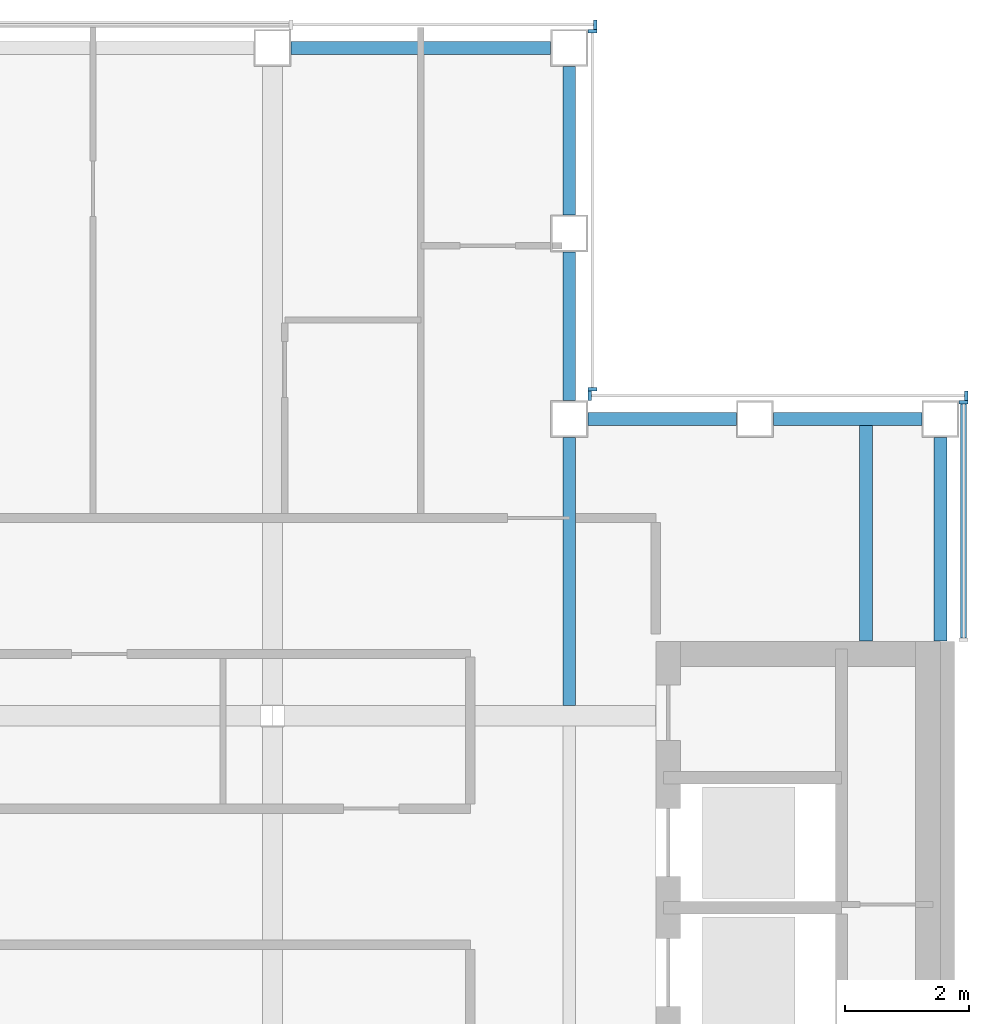
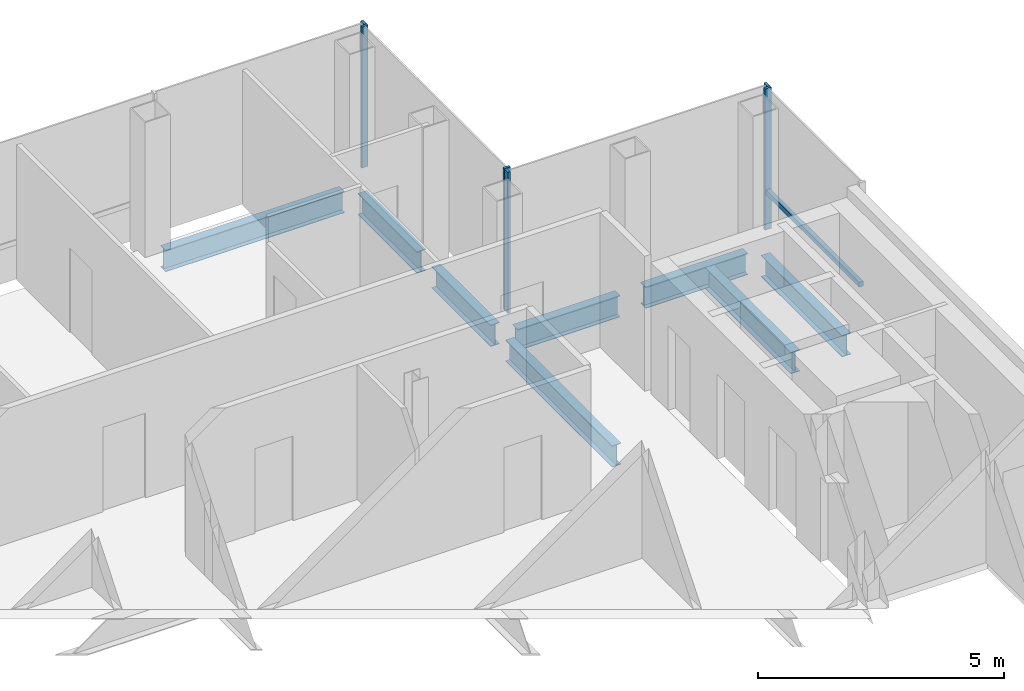
# One storey, part 8 of 15: 8 beams, 7 members, 4 elements without a shape of their own.
"""IFC4 building model written with IfcOpenShell, lengths in metres."""

import ifcopenshell
import ifcopenshell.guid

model = None  # the IFC model being written
_history = None  # IfcOwnerHistory: only IFC2X3 demands one
_inside = {}  # id of a spatial element -> (the spatial element, [elements in it])
_under = {}  # id of a project, library or spatial element -> (it, [spatial elements below it])
_declared = {}  # id of a project -> (the project, [libraries it declares])
_typed = {}  # id of a type object -> (the type object, [elements of that type])
_made_of = {}  # id of a material, layer set ... -> (it, [elements and type objects made of it])


def new_model(schema):
    """Start an empty IFC model of exactly this schema.

    Asked for "IFC4X3", IfcOpenShell would pick the latest addendum, in which some entities
    have other attributes; the version numbers below select the first issue.
    IFC2X3 requires an IfcOwnerHistory on every rooted entity: one is made here for all.
    """
    global model, _history
    if schema == "IFC4X3":
        model = ifcopenshell.file(schema_version=(4, 3, 0, 0))
    else:
        model = ifcopenshell.file(schema=schema)
    _inside.clear()
    _under.clear()
    _declared.clear()
    _typed.clear()
    _made_of.clear()
    _history = None
    if model.schema == "IFC2X3":
        org = make("IfcOrganization", Name="unknown")
        user = make(
            "IfcPersonAndOrganization",
            ThePerson=make("IfcPerson", FamilyName="unknown"),
            TheOrganization=org,
        )
        app = make(
            "IfcApplication",
            ApplicationDeveloper=org,
            Version="unknown",
            ApplicationFullName="unknown",
            ApplicationIdentifier="unknown",
        )
        _history = make(
            "IfcOwnerHistory",
            OwningUser=user,
            OwningApplication=app,
            ChangeAction="ADDED",
            CreationDate=0,
        )
    return model


def make(cls, **values):
    """One entity of the class cls with the attributes given. An attribute that is None is left unset."""
    return model.create_entity(
        cls, **{name: value for name, value in values.items() if value is not None}
    )


def rooted(cls, **values):
    """An entity with a GlobalId (a new one), such as an element, a storey or a relation."""
    return make(cls, GlobalId=ifcopenshell.guid.new(), OwnerHistory=_history, **values)


def si_unit(unit_type, name, prefix=None):
    """IfcSIUnit, for example si_unit("LENGTHUNIT", "METRE", prefix="MILLI")."""
    return make("IfcSIUnit", UnitType=unit_type, Prefix=prefix, Name=name)


def assignment(units):
    """IfcUnitAssignment: the units of a project."""
    return None if units is None else make("IfcUnitAssignment", Units=units)


def point(xyz):
    """IfcCartesianPoint."""
    return None if xyz is None else make("IfcCartesianPoint", Coordinates=xyz)


def direction(xyz):
    """IfcDirection."""
    return None if xyz is None else make("IfcDirection", DirectionRatios=xyz)


def frame(location, z_axis=None, x_axis=None):
    """IfcAxis2Placement3D, a coordinate frame: its origin and axes. An axis left out is left unset."""
    return make(
        "IfcAxis2Placement3D",
        Location=point(location),
        Axis=direction(z_axis),
        RefDirection=direction(x_axis),
    )


def frame_2d(location, x_axis=None):
    """IfcAxis2Placement2D, a coordinate frame in the plane: its origin and x axis."""
    return make(
        "IfcAxis2Placement2D", Location=point(location), RefDirection=direction(x_axis)
    )


def origin():
    """The frame at (0, 0, 0) with its axes left unset."""
    return frame((0.0, 0.0, 0.0))


def origin_2d():
    """The frame at (0, 0) in the plane with its x axis left unset."""
    return frame_2d((0.0, 0.0))


def place(relative_to, where):
    """IfcLocalPlacement: puts the frame where relative to a parent placement (None: the world)."""
    return make(
        "IfcLocalPlacement", PlacementRelTo=relative_to, RelativePlacement=where
    )


def context(
    kind, dimensions, precision=None, world=None, true_north=None, identifier=None
):
    """IfcGeometricRepresentationContext, for example the 3D "Model" context."""
    return make(
        "IfcGeometricRepresentationContext",
        ContextIdentifier=identifier,
        ContextType=kind,
        CoordinateSpaceDimension=dimensions,
        Precision=precision,
        WorldCoordinateSystem=world,
        TrueNorth=true_north,
    )


def subcontext(parent, identifier, kind, view, scale=None):
    """IfcGeometricRepresentationSubContext, for example "Body" below "Model"."""
    return make(
        "IfcGeometricRepresentationSubContext",
        ContextIdentifier=identifier,
        ContextType=kind,
        ParentContext=parent,
        TargetScale=scale,
        TargetView=view,
    )


def project(units=None, contexts=None):
    """IfcProject with its units and contexts."""
    return rooted(
        "IfcProject",
        Name="project",
        RepresentationContexts=contexts,
        UnitsInContext=assignment(units),
    )


def spatial(cls, under=None, at=None, **own):
    """A site, building, storey or space (cls), placed at a placement, below another one or the project."""
    s = rooted(cls, ObjectPlacement=at, **own)
    if under is not None:
        _under.setdefault(under.id(), (under, []))[1].append(s)
    return s


def profile(cls, at=None, kind="AREA", **sizes):
    """A parametric profile (cls). Its sizes go by their IFC names, for example OverallWidth=200.0."""
    return make(cls, ProfileType=kind, Position=at, **sizes)


def rectangle(**sizes):
    """IfcRectangleProfileDef."""
    return profile("IfcRectangleProfileDef", **sizes)


def i_section(**sizes):
    """IfcIShapeProfileDef."""
    return profile("IfcIShapeProfileDef", **sizes)


def extrude(swept, where, along, depth):
    """IfcExtrudedAreaSolid: the profile swept, set in the frame where, extruded along a direction by depth."""
    return make(
        "IfcExtrudedAreaSolid",
        SweptArea=swept,
        Position=where,
        ExtrudedDirection=direction(along),
        Depth=depth,
    )


def shape(context_of_items, identifier, shape_type, items):
    """IfcShapeRepresentation: the items that make up one representation, for example the "Body"."""
    return make(
        "IfcShapeRepresentation",
        ContextOfItems=context_of_items,
        RepresentationIdentifier=identifier,
        RepresentationType=shape_type,
        Items=items,
    )


def material(Name=None, Category=None):
    """IfcMaterial."""
    return make("IfcMaterial", Name=Name, Category=Category)


def material_profile(
    of_material, cross_section, Name=None, Category=None, Priority=None
):
    """IfcMaterialProfile: a cross section and its material."""
    return make(
        "IfcMaterialProfile",
        Name=Name,
        Material=of_material,
        Profile=cross_section,
        Priority=Priority,
        Category=Category,
    )


def profile_set(profiles, Name=None, composite=None):
    """IfcMaterialProfileSet."""
    return make(
        "IfcMaterialProfileSet",
        Name=Name,
        MaterialProfiles=profiles,
        CompositeProfile=composite,
    )


def made_of(thing, what):
    """Note that an element or type object is made of a material, layer set ...; save() writes the relation."""
    if what is not None:
        _made_of.setdefault(what.id(), (what, []))[1].append(thing)
    return thing


def type_object(cls, material=None, **own):
    """A type object (cls), such as IfcWallType, which elements share."""
    return made_of(rooted(cls, **own), material)


def element(
    cls,
    number,
    at=None,
    inside=None,
    cuts=None,
    type_object=None,
    material=None,
    context=None,
    identifier="Body",
    shape_type=None,
    held_by="IfcProductDefinitionShape",
    body=None,
    shapes=None,
    **own,
):
    """One element of the class cls, such as IfcWall. Its Tag is "e" and its number.

    at: its placement. inside: the storey or other place that contains it. cuts: it is an
    opening in that element (IfcRelVoidsElement). A single representation is given by context,
    identifier, shape_type and body (its items); several are given by shapes. held_by: the class
    of the entity that holds the representations. save() writes the other relations.
    """
    e = rooted(cls, Tag="e%d" % number, ObjectPlacement=at, **own)
    if body is not None:
        shapes = [shape(context, identifier, shape_type, body)]
    if shapes is not None:
        e.Representation = make(held_by, Representations=shapes)
    if inside is not None:
        _inside.setdefault(inside.id(), (inside, []))[1].append(e)
    if cuts is not None:
        rooted(
            "IfcRelVoidsElement", RelatingBuildingElement=cuts, RelatedOpeningElement=e
        )
    if type_object is not None:
        _typed.setdefault(type_object.id(), (type_object, []))[1].append(e)
    return made_of(e, material)


def aggregate(whole, parts):
    """IfcRelAggregates: a whole, such as a stair, and the parts it consists of."""
    return rooted("IfcRelAggregates", RelatingObject=whole, RelatedObjects=parts)


def save(model, path):
    """Write the relations noted so far, then the file.

    IfcRelAggregates (storeys below a building ...), IfcRelContainedInSpatialStructure (elements
    in a storey), IfcRelDefinesByType, IfcRelAssociatesMaterial and IfcRelDeclares: one each for
    every whole, place, type object, material and project.
    """
    for whole, parts in _under.values():
        aggregate(whole, parts)
    for where, things in _inside.values():
        rooted(
            "IfcRelContainedInSpatialStructure",
            RelatedElements=things,
            RelatingStructure=where,
        )
    for kind, things in _typed.values():
        rooted("IfcRelDefinesByType", RelatedObjects=things, RelatingType=kind)
    for what, things in _made_of.values():
        rooted("IfcRelAssociatesMaterial", RelatedObjects=things, RelatingMaterial=what)
    for by, libraries in _declared.values():
        rooted("IfcRelDeclares", RelatingContext=by, RelatedDefinitions=libraries)
    model.write(path)


model = new_model("IFC4")

# Units and contexts
model_context = context("Model", 3, precision=1e-05, world=origin(), true_north=direction((0.0, 1.0)))
body_context = subcontext(model_context, "Body", "Model", "MODEL_VIEW")
ifc_project = project(units=[si_unit("LENGTHUNIT", "METRE"), si_unit("AREAUNIT", "SQUARE_METRE"), si_unit("VOLUMEUNIT", "CUBIC_METRE"), si_unit("PLANEANGLEUNIT", "RADIAN"), si_unit("MASSUNIT", "GRAM", prefix="KILO")], contexts=[model_context])

# Site, building, storey
site_placement = place(None, origin())
site = spatial("IfcSite", under=ifc_project, at=site_placement, CompositionType="ELEMENT")
building_placement = place(site_placement, origin())
building = spatial("IfcBuilding", under=site, at=building_placement, Name="Cobrizo Arcos Hotel Tower", CompositionType="ELEMENT")
storey_placement = place(building_placement, frame((0.0, 0.0, 251.5)))
storey = spatial("IfcBuildingStorey", under=building, at=storey_placement, Name="L66", CompositionType="ELEMENT", Elevation=251.5)

# Curtain wall, member
ifc_material_1 = material(Name="Aluminium 6063-T6 anodised bronze", Category="aluminium")
curtain_wall_type = type_object("IfcCurtainWallType", Name="CW-A guest facade", PredefinedType="NOTDEFINED", material=ifc_material_1)
curtain_wall_1_placement = place(storey_placement, origin())
curtain_wall_1 = element("IfcCurtainWall", 1, at=curtain_wall_1_placement, inside=storey, type_object=curtain_wall_type, Name="CW-A L66 E face", PredefinedType="NOTDEFINED")
ifc_material_profile_1 = material_profile(ifc_material_1, rectangle(XDim=0.14990234375, YDim=0.06005859375, at=origin_2d()), Name="CW-A mullion 150x60")
ifc_profile_set_1 = profile_set([ifc_material_profile_1], Name="Aluminium 6063-T6 anodised bronze")
member_type_1 = type_object("IfcMemberType", Name="CW-A mullion 150x60", PredefinedType="MULLION", material=ifc_profile_set_1)
member_1_placement = place(storey_placement, frame((20.77490234375, 14.669921875, 0.0), z_axis=(0.0, 0.0, 1.0), x_axis=(1.0, 0.0, 0.0)))
member_1 = element("IfcMember", 2, at=member_1_placement, type_object=member_type_1, Name="CW-A mullion 2", PredefinedType="MULLION", context=body_context, shape_type="SweptSolid", body=[
    extrude(rectangle(XDim=0.14990234375, YDim=0.06005859375, at=origin_2d()), origin(), (0.0, 0.0, 1.0), 3.5),
])

# Curtain wall, members
curtain_wall_2_placement = place(storey_placement, origin())
curtain_wall_2 = element("IfcCurtainWall", 3, at=curtain_wall_2_placement, inside=storey, type_object=curtain_wall_type, Name="CW-A L66 N face", PredefinedType="NOTDEFINED")
member_2_placement = place(storey_placement, frame((20.820068359375, 14.77490234375, 0.0), z_axis=(0.0, 0.0, 1.0), x_axis=(0.0, 1.0, 0.0)))
member_2 = element("IfcMember", 4, at=member_2_placement, type_object=member_type_1, Name="CW-A mullion 1", PredefinedType="MULLION", context=body_context, shape_type="SweptSolid", body=[
    extrude(rectangle(XDim=0.14990234375, YDim=0.06005859375, at=origin_2d()), origin(), (0.0, 0.0, 1.0), 3.5),
])
member_3_placement = place(storey_placement, frame((14.72998046875, 14.77490234375, 0.0), z_axis=(0.0, 0.0, 1.0), x_axis=(0.0, 1.0, 0.0)))
member_3 = element("IfcMember", 5, at=member_3_placement, type_object=member_type_1, Name="CW-A mullion 2", PredefinedType="MULLION", context=body_context, shape_type="SweptSolid", body=[
    extrude(rectangle(XDim=0.14990234375, YDim=0.06005859375, at=origin_2d()), origin(), (0.0, 0.0, 1.0), 3.5),
])
aggregate(curtain_wall_2, [member_2, member_3])

curtain_wall_3_placement = place(storey_placement, origin())
curtain_wall_3 = element("IfcCurtainWall", 6, at=curtain_wall_3_placement, inside=storey, type_object=curtain_wall_type, Name="CW-A L66 E face", PredefinedType="NOTDEFINED")
member_4_placement = place(storey_placement, frame((14.77490234375, 14.8798828125, 0.0), z_axis=(0.0, 0.0, 1.0), x_axis=(1.0, 0.0, 0.0)))
member_4 = element("IfcMember", 7, at=member_4_placement, type_object=member_type_1, Name="CW-A mullion 1", PredefinedType="MULLION", context=body_context, shape_type="SweptSolid", body=[
    extrude(rectangle(XDim=0.14990234375, YDim=0.06005859375, at=origin_2d()), origin(), (0.0, 0.0, 1.0), 3.5),
])
member_5_placement = place(storey_placement, frame((14.77490234375, 20.669921875, 0.0), z_axis=(0.0, 0.0, 1.0), x_axis=(1.0, 0.0, 0.0)))
member_5 = element("IfcMember", 8, at=member_5_placement, type_object=member_type_1, Name="CW-A mullion 2", PredefinedType="MULLION", context=body_context, shape_type="SweptSolid", body=[
    extrude(rectangle(XDim=0.14990234375, YDim=0.06005859375, at=origin_2d()), origin(), (0.0, 0.0, 1.0), 3.5),
])
aggregate(curtain_wall_3, [member_4, member_5])

# Curtain wall, member
curtain_wall_4_placement = place(storey_placement, origin())
curtain_wall_4 = element("IfcCurtainWall", 9, at=curtain_wall_4_placement, inside=storey, type_object=curtain_wall_type, Name="CW-A L66 N face", PredefinedType="NOTDEFINED")
member_6_placement = place(storey_placement, frame((14.820068359375, 20.77490234375, 0.0), z_axis=(0.0, 0.0, 1.0), x_axis=(0.0, 1.0, 0.0)))
member_6 = element("IfcMember", 10, at=member_6_placement, type_object=member_type_1, Name="CW-A mullion 1", PredefinedType="MULLION", context=body_context, shape_type="SweptSolid", body=[
    extrude(rectangle(XDim=0.14990234375, YDim=0.06005859375, at=origin_2d()), origin(), (0.0, 0.0, 1.0), 3.5),
])
aggregate(curtain_wall_4, [member_6])

# Member
ifc_material_profile_2 = material_profile(ifc_material_1, rectangle(XDim=0.10009765625, YDim=0.1201171875, at=origin_2d()), Name="CW-A transom 120x100")
ifc_profile_set_2 = profile_set([ifc_material_profile_2], Name="Aluminium 6063-T6 anodised bronze")
member_type_2 = type_object("IfcMemberType", Name="CW-A transom 120x100", PredefinedType="USERDEFINED", material=ifc_profile_set_2)
member_7_placement = place(storey_placement, frame((20.77490234375, 10.860107421875, 0.929931640625), z_axis=(0.0, 1.0, 0.0), x_axis=(-1.0, 0.0, 0.0)))
member_7 = element("IfcMember", 11, at=member_7_placement, type_object=member_type_2, Name="CW-A transom 2093", ObjectType="TRANSOM", PredefinedType="USERDEFINED", context=body_context, shape_type="SweptSolid", body=[
    extrude(rectangle(XDim=0.10009765625, YDim=0.1201171875, at=origin_2d()), origin(), (0.0, 0.0, 1.0), 3.77978515625),
])

aggregate(curtain_wall_1, [member_1, member_7])

# Beams
ifc_material_2 = material(Name="Steel ASTM A992 Grade 50", Category="steel")
ifc_material_profile_3 = material_profile(ifc_material_2, i_section(OverallWidth=0.209228515625, OverallDepth=0.533447265625, WebThickness=0.01025390625, FlangeThickness=0.015625, at=origin_2d()), Name="W21X62")
ifc_profile_set_3 = profile_set([ifc_material_profile_3], Name="Steel ASTM A992 Grade 50")
beam_type_1 = type_object("IfcBeamType", Name="W21X62 joist", PredefinedType="JOIST", material=ifc_profile_set_3)
beam_1_placement = place(storey_placement, frame((14.39990234375, 9.763916015625, -0.416748046875), z_axis=(0.0, 1.0, 0.0), x_axis=(-1.0, 0.0, 0.0)))
element("IfcBeam", 12, at=beam_1_placement, inside=storey, type_object=beam_type_1, Name="Floor joist J1, L66, no. 018", PredefinedType="JOIST", context=body_context, shape_type="SweptSolid", body=[
    extrude(i_section(OverallWidth=0.209228515625, OverallDepth=0.533447265625, WebThickness=0.01025390625, FlangeThickness=0.015625, at=origin_2d()), origin(), (0.0, 0.0, 1.0), 4.336181640625),
])
beam_2_placement = place(storey_placement, frame((19.199951171875, 10.81005859375, -0.416748046875), z_axis=(0.0, 1.0, 0.0), x_axis=(-1.0, 0.0, 0.0)))
element("IfcBeam", 13, at=beam_2_placement, inside=storey, type_object=beam_type_1, Name="Floor joist J1, L66, no. 020", PredefinedType="JOIST", context=body_context, shape_type="SweptSolid", body=[
    extrude(i_section(OverallWidth=0.209228515625, OverallDepth=0.533447265625, WebThickness=0.01025390625, FlangeThickness=0.015625, at=origin_2d()), origin(), (0.0, 0.0, 1.0), 3.5),
])
ifc_material_profile_4 = material_profile(ifc_material_2, i_section(OverallWidth=0.209228515625, OverallDepth=0.533447265625, WebThickness=0.01025390625, FlangeThickness=0.015625, at=origin_2d()), Name="W21X62")
ifc_profile_set_4 = profile_set([ifc_material_profile_4], Name="Steel ASTM A992 Grade 50")
beam_type_2 = type_object("IfcBeamType", Name="W21X62 spandrel", PredefinedType="SPANDREL", material=ifc_profile_set_4)
beam_3_placement = place(storey_placement, frame((20.39990234375, 10.81005859375, -0.416748046875), z_axis=(0.0, 1.0, 0.0), x_axis=(-1.0, 0.0, 0.0)))
element("IfcBeam", 14, at=beam_3_placement, inside=storey, type_object=beam_type_2, Name="Spandrel beam W21X62, L66, no. 012", PredefinedType="SPANDREL", context=body_context, shape_type="SweptSolid", body=[
    extrude(i_section(OverallWidth=0.209228515625, OverallDepth=0.533447265625, WebThickness=0.01025390625, FlangeThickness=0.015625, at=origin_2d()), origin(), (0.0, 0.0, 1.0), 3.2900390625),
])
for number, where, z_axis, x_axis, name in (
    (15, (20.10009765625, 14.39990234375, -0.416748046875), (-1.0, 0.0, 0.0), (0.0, -1.0, 0.0), "Spandrel beam W21X62, L66, no. 013"),
    (16, (17.10009765625, 14.39990234375, -0.416748046875), (-1.0, 0.0, 0.0), (0.0, -1.0, 0.0), "Spandrel beam W21X62, L66, no. 014"),
    (17, (14.39990234375, 14.699951171875, -0.416748046875), (0.0, 1.0, 0.0), (-1.0, 0.0, 0.0), "Spandrel beam W21X62, L66, no. 015"),
    (18, (14.39990234375, 17.699951171875, -0.416748046875), (0.0, 1.0, 0.0), (-1.0, 0.0, 0.0), "Spandrel beam W21X62, L66, no. 016"),
):
    element("IfcBeam", number, at=place(storey_placement, frame(where, z_axis=z_axis, x_axis=x_axis)), inside=storey, type_object=beam_type_2, Name=name, PredefinedType="SPANDREL", context=body_context, shape_type="SweptSolid", body=[
        extrude(i_section(OverallWidth=0.209228515625, OverallDepth=0.533447265625, WebThickness=0.01025390625, FlangeThickness=0.015625, at=origin_2d()), origin(), (0.0, 0.0, 1.0), 2.400146484375),
    ])
beam_4_placement = place(storey_placement, frame((14.10009765625, 20.39990234375, -0.416748046875), z_axis=(-1.0, 0.0, 0.0), x_axis=(0.0, -1.0, 0.0)))
element("IfcBeam", 19, at=beam_4_placement, inside=storey, type_object=beam_type_2, Name="Spandrel beam W21X62, L66, no. 017", PredefinedType="SPANDREL", context=body_context, shape_type="SweptSolid", body=[
    extrude(i_section(OverallWidth=0.209228515625, OverallDepth=0.533447265625, WebThickness=0.01025390625, FlangeThickness=0.015625, at=origin_2d()), origin(), (0.0, 0.0, 1.0), 4.2001953125),
])

save(model, "model.ifc")
